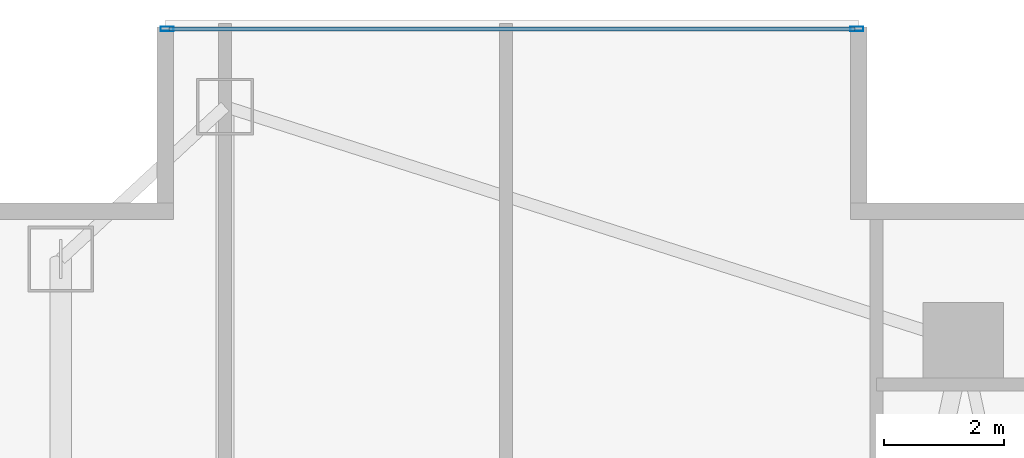
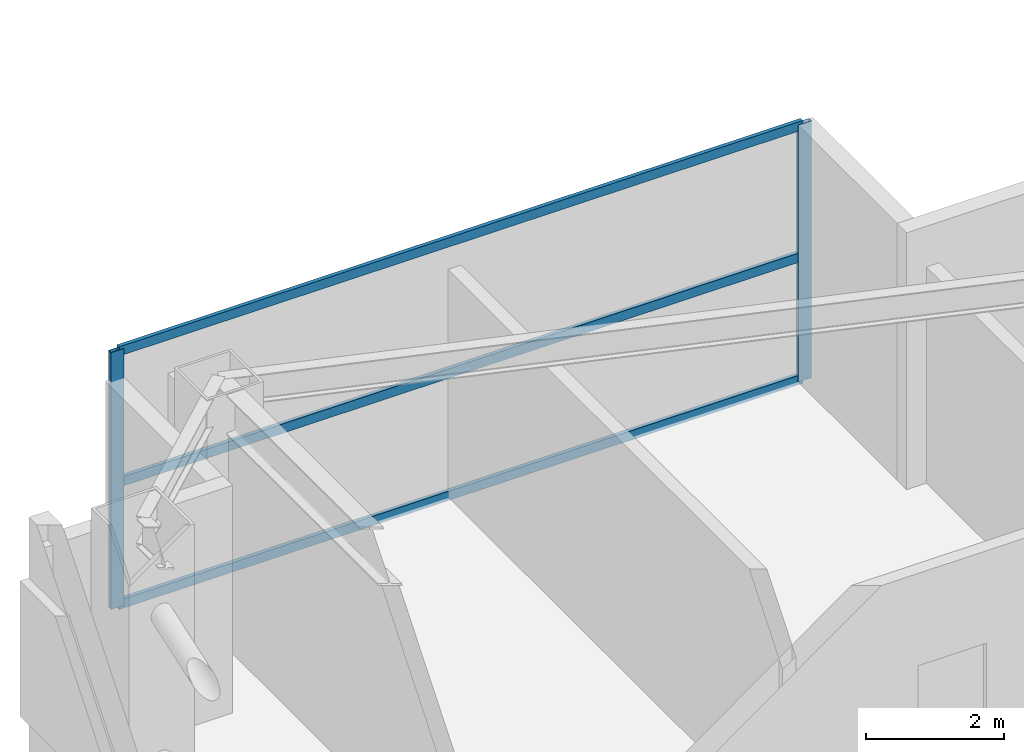
# One storey, part 7 of 18: 5 members, 1 element without a shape of its own.
"""IFC4 building model written with IfcOpenShell, lengths in metres."""

from ifc_helpers import new_model, si_unit, direction, frame, origin, origin_2d, place, context, subcontext, project, spatial, hollow_rectangle, extrude, material, layer, layer_set, material_profile, profile_set, type_object, element, aggregate, save


model = new_model("IFC4")

# Units and contexts
model_context = context("Model", 3, precision=1e-05, world=origin(), true_north=direction((0.0, 1.0)))
body_context = subcontext(model_context, "Body", "Model", "MODEL_VIEW")
ifc_project = project(units=[si_unit("LENGTHUNIT", "METRE"), si_unit("AREAUNIT", "SQUARE_METRE"), si_unit("VOLUMEUNIT", "CUBIC_METRE"), si_unit("PLANEANGLEUNIT", "RADIAN"), si_unit("MASSUNIT", "GRAM", prefix="KILO")], contexts=[model_context])

# Site, building, storey
site_placement = place(None, origin())
site = spatial("IfcSite", under=ifc_project, at=site_placement, CompositionType="ELEMENT")
building_placement = place(site_placement, origin())
building = spatial("IfcBuilding", under=site, at=building_placement, Name="Calvorn Quay Hotel", CompositionType="ELEMENT")
storey_placement = place(building_placement, frame((0.0, 0.0, 46.0)))
storey = spatial("IfcBuildingStorey", under=building, at=storey_placement, Name="L10", CompositionType="ELEMENT", Elevation=46.0)

# Curtain wall, members
ifc_material_1 = material(Name="Pale Anodised Aluminium and Low-E Glass", Category="aluminium")
ifc_layer = layer(ifc_material_1, 0.219970703125)
ifc_layer_set = layer_set([ifc_layer], Name="CW-SYS-Z1")
curtain_wall_type = type_object("IfcCurtainWallType", Name="CW-SYS-Z1", PredefinedType="NOTDEFINED", material=ifc_layer_set)
curtain_wall_placement = place(storey_placement, origin())
curtain_wall = element("IfcCurtainWall", 1, at=curtain_wall_placement, inside=storey, type_object=curtain_wall_type, Name="Inner Court Curtain Wall L10-N1", PredefinedType="NOTDEFINED")
ifc_material_2 = material(Name="Pale Anodised Aluminium 6063-T6", Category="aluminium")
ifc_material_profile_1 = material_profile(ifc_material_2, hollow_rectangle(XDim=0.074951171875, YDim=0.219970703125, WallThickness=0.00439453125, at=origin_2d()), Name="ALU-M220x75x4.5")
ifc_profile_set_1 = profile_set([ifc_material_profile_1], Name="Pale Anodised Aluminium 6063-T6")
member_type_1 = type_object("IfcMemberType", Name="CW-SYS-Z1-MUL", PredefinedType="MULLION", material=ifc_profile_set_1)
member_1_placement = place(storey_placement, frame((14.77001953125, 50.85009765625, 0.0), z_axis=(0.0, 0.0, 1.0), x_axis=(0.0, -1.0, 0.0)))
member_1 = element("IfcMember", 2, at=member_1_placement, type_object=member_type_1, Name="CW-L10-N1 mullion 1", PredefinedType="MULLION", context=body_context, shape_type="SweptSolid", body=[
    extrude(hollow_rectangle(XDim=0.074951171875, YDim=0.219970703125, WallThickness=0.00439453125, at=origin_2d()), origin(), (0.0, 0.0, 1.0), 4.56005859375),
])
member_2_placement = place(storey_placement, frame((3.22998046875, 50.85009765625, 0.0), z_axis=(0.0, 0.0, 1.0), x_axis=(0.0, -1.0, 0.0)))
member_2 = element("IfcMember", 3, at=member_2_placement, type_object=member_type_1, Name="CW-L10-N1 mullion 2", PredefinedType="MULLION", context=body_context, shape_type="SweptSolid", body=[
    extrude(hollow_rectangle(XDim=0.074951171875, YDim=0.219970703125, WallThickness=0.00439453125, at=origin_2d()), origin(), (0.0, 0.0, 1.0), 4.56005859375),
])
ifc_material_3 = material(Name="Pale Anodised Aluminium 6063-T6", Category="aluminium")
ifc_material_profile_2 = material_profile(ifc_material_3, hollow_rectangle(XDim=0.06494140625, YDim=0.1650390625, WallThickness=0.00341796875, at=origin_2d()), Name="ALU-T165x65x3.5")
ifc_profile_set_2 = profile_set([ifc_material_profile_2], Name="Pale Anodised Aluminium 6063-T6")
member_type_2 = type_object("IfcMemberType", Name="CW-SYS-Z1-TRN", PredefinedType="USERDEFINED", material=ifc_profile_set_2)
member_3_placement = place(storey_placement, frame((14.739990234375, 50.85009765625, 0.030029296875), z_axis=(-1.0, 0.0, 0.0), x_axis=(0.0, -1.0, 0.0)))
member_3 = element("IfcMember", 4, at=member_3_placement, type_object=member_type_2, Name="CW-L10-N1 transom 1.1", ObjectType="TRANSOM", PredefinedType="USERDEFINED", context=body_context, shape_type="SweptSolid", body=[
    extrude(hollow_rectangle(XDim=0.06494140625, YDim=0.1650390625, WallThickness=0.00341796875, at=origin_2d()), origin(), (0.0, 0.0, 1.0), 11.47998046875),
])
member_4_placement = place(storey_placement, frame((14.739990234375, 50.85009765625, 2.199951171875), z_axis=(-1.0, 0.0, 0.0), x_axis=(0.0, -1.0, 0.0)))
member_4 = element("IfcMember", 5, at=member_4_placement, type_object=member_type_2, Name="CW-L10-N1 transom 1.2", ObjectType="TRANSOM", PredefinedType="USERDEFINED", context=body_context, shape_type="SweptSolid", body=[
    extrude(hollow_rectangle(XDim=0.06494140625, YDim=0.1650390625, WallThickness=0.00341796875, at=origin_2d()), origin(), (0.0, 0.0, 1.0), 11.47998046875),
])
member_5_placement = place(storey_placement, frame((14.739990234375, 50.85009765625, 4.530029296875), z_axis=(-1.0, 0.0, 0.0), x_axis=(0.0, -1.0, 0.0)))
member_5 = element("IfcMember", 6, at=member_5_placement, type_object=member_type_2, Name="CW-L10-N1 transom 1.3", ObjectType="TRANSOM", PredefinedType="USERDEFINED", context=body_context, shape_type="SweptSolid", body=[
    extrude(hollow_rectangle(XDim=0.06494140625, YDim=0.1650390625, WallThickness=0.00341796875, at=origin_2d()), origin(), (0.0, 0.0, 1.0), 11.47998046875),
])
aggregate(curtain_wall, [member_1, member_2, member_3, member_4, member_5])

save(model, "model.ifc")
